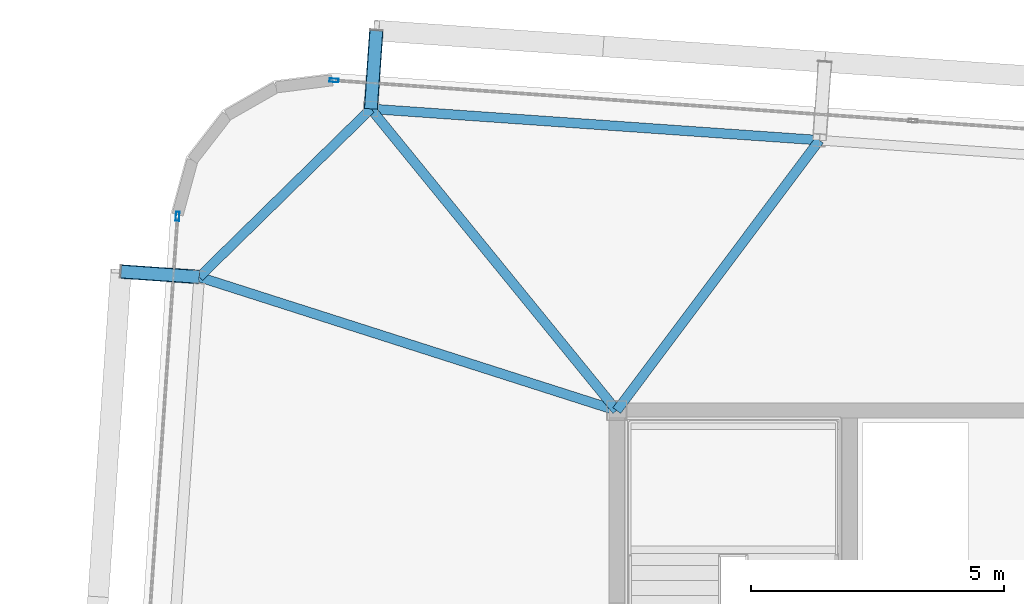
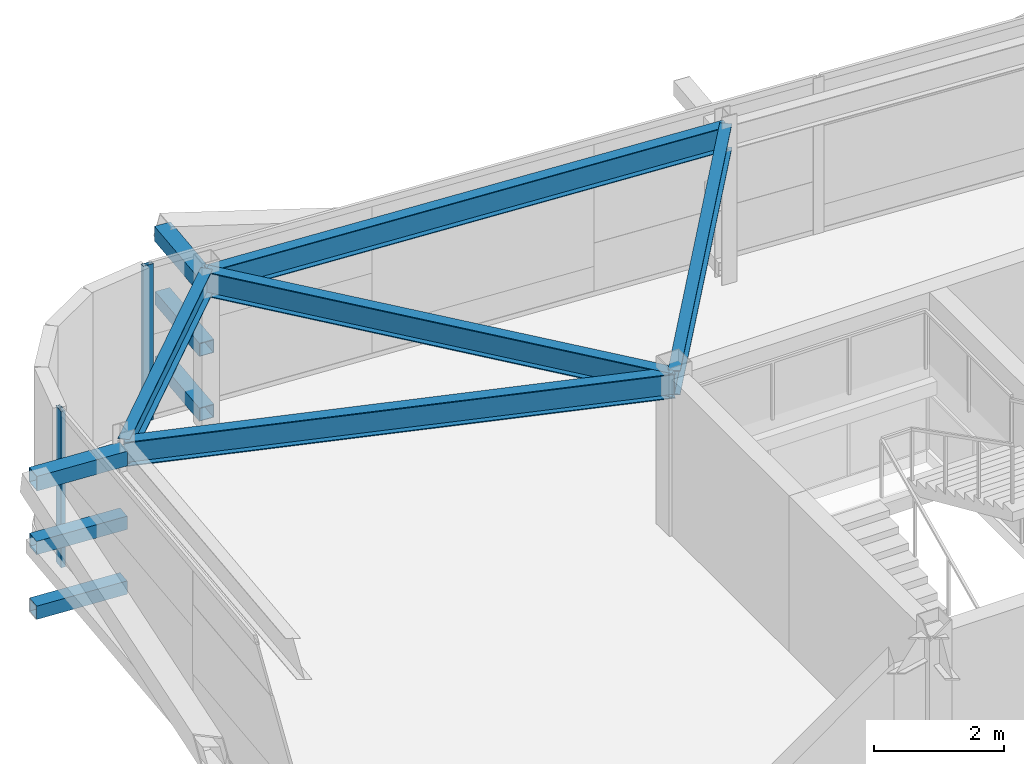
# One storey, part 19 of 39: 8 members, 5 beams, 2 elements without a shape of their own.
"""IFC4 building model written with IfcOpenShell, lengths in metres."""

from ifc_helpers import new_model, si_unit, direction, frame, origin, origin_2d, place, context, subcontext, project, spatial, hollow_rectangle, i_section, extrude, source, transform, mapped, material, layer, layer_set, material_profile, profile_set, type_object, element, aggregate, save


model = new_model("IFC4")

# Units and contexts
model_context = context("Model", 3, precision=1e-05, world=origin(), true_north=direction((0.0, 1.0)))
body_context = subcontext(model_context, "Body", "Model", "MODEL_VIEW")
ifc_project = project(units=[si_unit("LENGTHUNIT", "METRE"), si_unit("AREAUNIT", "SQUARE_METRE"), si_unit("VOLUMEUNIT", "CUBIC_METRE"), si_unit("PLANEANGLEUNIT", "RADIAN"), si_unit("MASSUNIT", "GRAM", prefix="KILO")], contexts=[model_context])

# Site, building, storey
site_placement = place(None, origin())
site = spatial("IfcSite", under=ifc_project, at=site_placement, CompositionType="ELEMENT")
building_placement = place(site_placement, origin())
building = spatial("IfcBuilding", under=site, at=building_placement, Name="Taldren Reach Tower", CompositionType="ELEMENT")
storey_placement = place(building_placement, frame((0.0, 0.0, 136.14990234375)))
storey = spatial("IfcBuildingStorey", under=building, at=storey_placement, Name="L41", CompositionType="ELEMENT", Elevation=136.14990234375)

# Members
ifc_material_1 = material(Name="Steel Gr 450 (C450L0)", Category="steel")
ifc_material_profile_1 = material_profile(ifc_material_1, hollow_rectangle(XDim=0.27490234375, YDim=0.27490234375, WallThickness=0.00927734375, at=origin_2d()), Name="275x275x9.3SHS")
ifc_profile_set_1 = profile_set([ifc_material_profile_1], Name="Steel Gr 450 (C450L0)")
member_type_1 = type_object("IfcMemberType", Name="MB-TIE273", PredefinedType="STRUT", material=ifc_profile_set_1)
shared_shape_1 = source(origin(), body_context, "Body", "SweptSolid", [
    extrude(hollow_rectangle(XDim=0.27490234375, YDim=0.27490234375, WallThickness=0.00927734375, at=origin_2d()), origin(), (0.0, 0.0, 1.0), 1.5498046875),
])
for number, where, z_axis, x_axis, name in (
    (1, (14.14453125, 37.958740234375, 2.650146484375), (0.069780535098, 0.997562367434, 0.0), (-0.997562367434, 0.069780535098, 0.0), "Exoskeleton diaphragm tie strut B3-N1 L41"),
    (2, (10.754638671875, 34.63720703125, 2.650146484375), (-0.997562367434, 0.069780535098, 0.0), (-0.069780535098, -0.997562367434, 0.0), "Exoskeleton diaphragm tie strut B3-W3 L41"),
):
    element("IfcMember", number, at=place(storey_placement, frame(where, z_axis=z_axis, x_axis=x_axis)), inside=storey, type_object=member_type_1, Name=name, PredefinedType="STRUT", context=body_context, shape_type="MappedRepresentation", body=[
        mapped(shared_shape_1, transform((0.0, 0.0, 0.0), scale=1.0)),
    ])
ifc_material_2 = material(Name="Steel Gr 350 (C350L0)", Category="steel")
ifc_material_profile_2 = material_profile(ifc_material_2, hollow_rectangle(XDim=0.25, YDim=0.25, WallThickness=0.010009765625, at=origin_2d()), Name="250x250x10.0SHS")
ifc_profile_set_2 = profile_set([ifc_material_profile_2], Name="Steel Gr 350 (C350L0)")
member_type_2 = type_object("IfcMemberType", Name="MB-POST250", PredefinedType="POST", material=ifc_profile_set_2)
shared_shape_2 = source(origin(), body_context, "Body", "SweptSolid", [
    extrude(hollow_rectangle(XDim=0.25, YDim=0.25, WallThickness=0.010009765625, at=origin_2d()), origin(), (0.0, 0.0, 1.0), 1.5498046875),
])
for number, where, z_axis, x_axis, name in (
    (3, (14.14453125, 37.958740234375, 0.22021484375), (0.069780535098, 0.997562367434, 0.0), (-0.997562367434, 0.069780535098, 0.0), "Exoskeleton base diaphragm tie strut B3-N1 L41"),
    (4, (10.754638671875, 34.63720703125, 0.22021484375), (-0.997562367434, 0.069780535098, 0.0), (-0.069780535098, -0.997562367434, 0.0), "Exoskeleton base diaphragm tie strut B3-W3 L41"),
    (5, (14.14453125, 37.958740234375, 1.43505859375), (0.069780535098, 0.997562367434, 0.0), (-0.997562367434, 0.069780535098, 0.0), "Exoskeleton mid-tier diaphragm tie B3-N1 L41"),
    (6, (10.754638671875, 34.63720703125, 1.43505859375), (-0.997562367434, 0.069780535098, 0.0), (-0.069780535098, -0.997562367434, 0.0), "Exoskeleton mid-tier diaphragm tie B3-W3 L41"),
):
    element("IfcMember", number, at=place(storey_placement, frame(where, z_axis=z_axis, x_axis=x_axis)), inside=storey, type_object=member_type_2, Name=name, PredefinedType="POST", context=body_context, shape_type="MappedRepresentation", body=[
        mapped(shared_shape_2, transform((0.0, 0.0, 0.0), scale=1.0)),
    ])

# Beams
ifc_material_3 = material(Name="Steel Gr 350 (350PLUS)", Category="steel")
ifc_material_profile_3 = material_profile(ifc_material_3, i_section(OverallWidth=0.18994140625, OverallDepth=0.4541015625, WebThickness=0.008544921875, FlangeThickness=0.0126953125, at=origin_2d()), Name="460UB67.1")
ifc_profile_set_3 = profile_set([ifc_material_profile_3], Name="Steel Gr 350 (350PLUS)")
beam_type_1 = type_object("IfcBeamType", Name="SP-UB460B", PredefinedType="SPANDREL", material=ifc_profile_set_3)
shared_shape_3 = source(origin(), body_context, "Body", "SweptSolid", [
    extrude(i_section(OverallWidth=0.18994140625, OverallDepth=0.4541015625, WebThickness=0.008544921875, FlangeThickness=0.0126953125, at=origin_2d()), origin(), (0.0, 0.0, 1.0), 8.880126953125),
])
beam_1_placement = place(storey_placement, frame((23.0029296875, 37.33935546875, 2.703125), z_axis=(-0.997564479639, 0.069750333063, 0.0), x_axis=(-0.069750333063, -0.997564479639, 0.0)))
element("IfcBeam", 7, at=beam_1_placement, inside=storey, type_object=beam_type_1, Name="Perimeter spandrel B3 N2-N1 L41", PredefinedType="SPANDREL", context=body_context, shape_type="MappedRepresentation", body=[
    mapped(shared_shape_3, transform((0.0, 0.0, 0.0), scale=1.0)),
])
shared_shape_4 = source(origin(), body_context, "Body", "SweptSolid", [
    extrude(i_section(OverallWidth=0.18994140625, OverallDepth=0.4541015625, WebThickness=0.008544921875, FlangeThickness=0.0126953125, at=origin_2d()), origin(), (0.0, 0.0, 1.0), 4.745849609375),
])
beam_2_placement = place(storey_placement, frame((14.14453125, 37.958740234375, 2.703125), z_axis=(-0.714271982806, -0.699868226581, 0.0), x_axis=(0.699868226581, -0.714271982806, 0.0)))
element("IfcBeam", 8, at=beam_2_placement, inside=storey, type_object=beam_type_1, Name="Perimeter spandrel B3 N1-W3 L41", PredefinedType="SPANDREL", context=body_context, shape_type="MappedRepresentation", body=[
    mapped(shared_shape_4, transform((0.0, 0.0, 0.0), scale=1.0)),
])
ifc_material_profile_4 = material_profile(ifc_material_3, i_section(OverallWidth=0.19091796875, OverallDepth=0.4599609375, WebThickness=0.010009765625, FlangeThickness=0.01611328125, at=origin_2d()), Name="460UB82.1")
ifc_profile_set_4 = profile_set([ifc_material_profile_4], Name="Steel Gr 350 (350PLUS)")
beam_type_2 = type_object("IfcBeamType", Name="BM-UB460A", PredefinedType="BEAM", material=ifc_profile_set_4)
shared_shape_5 = source(origin(), body_context, "Body", "SweptSolid", [
    extrude(i_section(OverallWidth=0.19091796875, OverallDepth=0.4599609375, WebThickness=0.010009765625, FlangeThickness=0.01611328125, at=origin_2d()), origin(), (0.0, 0.0, 1.0), 6.67333984375),
])
beam_3_placement = place(storey_placement, frame((19.0, 32.0, 2.7001953125), z_axis=(0.599847795508, 0.800114130749, 0.0), x_axis=(-0.800114130749, 0.599847795508, 0.0)))
element("IfcBeam", 9, at=beam_3_placement, inside=storey, type_object=beam_type_2, Name="Primary floor girder B3-N2 L41", PredefinedType="BEAM", context=body_context, shape_type="MappedRepresentation", body=[
    mapped(shared_shape_5, transform((0.0, 0.0, 0.0), scale=1.0)),
])
shared_shape_6 = source(origin(), body_context, "Body", "SweptSolid", [
    extrude(i_section(OverallWidth=0.19091796875, OverallDepth=0.4599609375, WebThickness=0.010009765625, FlangeThickness=0.01611328125, at=origin_2d()), origin(), (0.0, 0.0, 1.0), 7.6865234375),
])
beam_4_placement = place(storey_placement, frame((19.0, 32.0, 2.7001953125), z_axis=(-0.631688504871, 0.775222311866, 0.0), x_axis=(-0.775222311866, -0.631688504871, 0.0)))
element("IfcBeam", 10, at=beam_4_placement, inside=storey, type_object=beam_type_2, Name="Primary floor girder B3-N1 L41", PredefinedType="BEAM", context=body_context, shape_type="MappedRepresentation", body=[
    mapped(shared_shape_6, transform((0.0, 0.0, 0.0), scale=1.0)),
])
shared_shape_7 = source(origin(), body_context, "Body", "SweptSolid", [
    extrude(i_section(OverallWidth=0.19091796875, OverallDepth=0.4599609375, WebThickness=0.010009765625, FlangeThickness=0.01611328125, at=origin_2d()), origin(), (0.0, 0.0, 1.0), 8.65673828125),
])
beam_5_placement = place(storey_placement, frame((19.0, 32.0, 2.7001953125), z_axis=(-0.952468016288, 0.304638602195, 0.0), x_axis=(-0.304638602195, -0.952468016288, 0.0)))
element("IfcBeam", 11, at=beam_5_placement, inside=storey, type_object=beam_type_2, Name="Primary floor girder B3-W3 L41", PredefinedType="BEAM", context=body_context, shape_type="MappedRepresentation", body=[
    mapped(shared_shape_7, transform((0.0, 0.0, 0.0), scale=1.0)),
])

# Curtain wall, member
ifc_material_4 = material(Name="Aluminium and Low-E Glass Unitised System", Category="aluminium")
ifc_layer = layer(ifc_material_4, 0.159912109375)
ifc_layer_set = layer_set([ifc_layer], Name="Aluminium and Low-E Glass Unitised System")
curtain_wall_type = type_object("IfcCurtainWallType", Name="CW-SYS-4", PredefinedType="NOTDEFINED", material=ifc_layer_set)
curtain_wall_1_placement = place(storey_placement, origin())
curtain_wall_1 = element("IfcCurtainWall", 12, at=curtain_wall_1_placement, inside=storey, type_object=curtain_wall_type, Name="Unitised curtain wall CW-L41-N", PredefinedType="NOTDEFINED")
ifc_material_5 = material(Name="Anodised Aluminium 6063-T6", Category="aluminium")
ifc_material_profile_5 = material_profile(ifc_material_5, hollow_rectangle(XDim=0.070068359375, YDim=0.179931640625, WallThickness=0.00390625, at=origin_2d()), Name="ALU-180x70x4RHS")
ifc_profile_set_5 = profile_set([ifc_material_profile_5], Name="Anodised Aluminium 6063-T6")
member_type_3 = type_object("IfcMemberType", Name="CW-MUL-180", PredefinedType="MULLION", material=ifc_profile_set_5)
shared_shape_8 = source(origin(), body_context, "Body", "SweptSolid", [
    extrude(hollow_rectangle(XDim=0.070068359375, YDim=0.179931640625, WallThickness=0.00390625, at=origin_2d()), origin(), (0.0, 0.0, 1.0), 2.93017578125),
])
member_1_placement = place(storey_placement, frame((13.4169921875, 38.52099609375, 0.0), z_axis=(0.0, 0.0, 1.0), x_axis=(-0.06975651593, -0.99756404731, 0.0)))
member_1 = element("IfcMember", 13, at=member_1_placement, type_object=member_type_3, Name="CW-4 mullion 5", PredefinedType="MULLION", context=body_context, shape_type="MappedRepresentation", body=[
    mapped(shared_shape_8, transform((0.0, 0.0, 0.0), scale=1.0)),
])
aggregate(curtain_wall_1, [member_1])

curtain_wall_2_placement = place(storey_placement, origin())
curtain_wall_2 = element("IfcCurtainWall", 14, at=curtain_wall_2_placement, inside=storey, type_object=curtain_wall_type, Name="Unitised curtain wall CW-L41-W", PredefinedType="NOTDEFINED")
member_2_placement = place(storey_placement, frame((10.3271484375, 35.8349609375, 0.0), z_axis=(0.0, 0.0, 1.0), x_axis=(0.997564052812, -0.069756437251, 0.0)))
member_2 = element("IfcMember", 15, at=member_2_placement, type_object=member_type_3, Name="CW-4 mullion 1", PredefinedType="MULLION", context=body_context, shape_type="MappedRepresentation", body=[
    mapped(shared_shape_8, transform((0.0, 0.0, 0.0), scale=1.0)),
])
aggregate(curtain_wall_2, [member_2])

save(model, "model.ifc")
